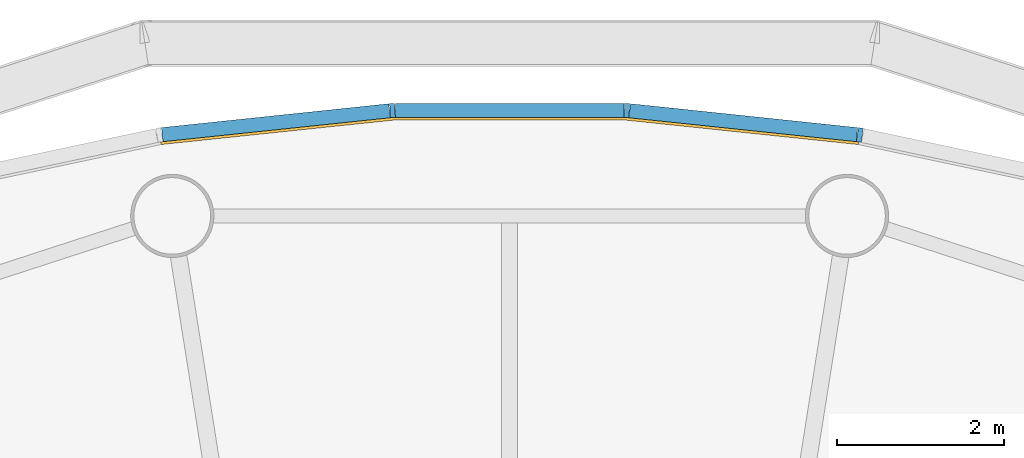
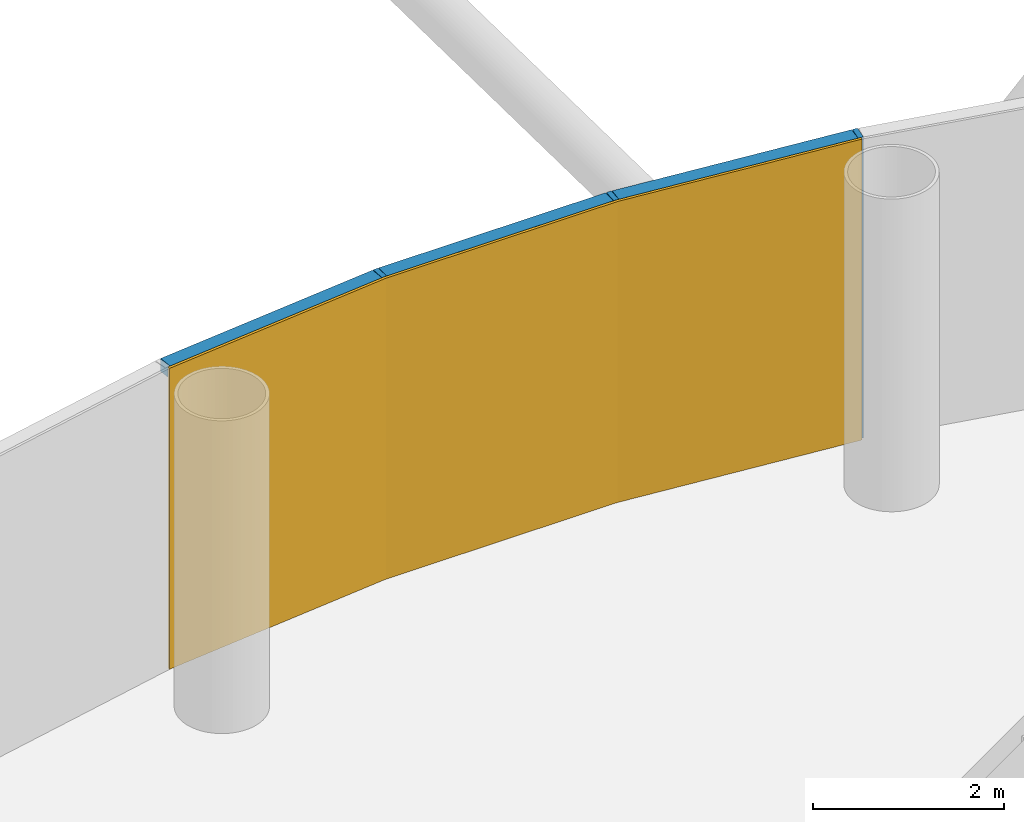
# One storey, part 11 of 13: 6 members, 1 curtain wall.
"""IFC4 building model written with IfcOpenShell, lengths in metres."""

from ifc_helpers import new_model, si_unit, direction, frame, origin, origin_2d, place, context, subcontext, project, spatial, polyline, rectangle, outline, extrude, material, layer, layer_set, material_profile, profile_set, type_object, element, aggregate, save


model = new_model("IFC4")

# Units and contexts
model_context = context("Model", 3, precision=1e-05, world=origin(), true_north=direction((0.0, 1.0)))
body_context = subcontext(model_context, "Body", "Model", "MODEL_VIEW")
ifc_project = project(units=[si_unit("LENGTHUNIT", "METRE"), si_unit("AREAUNIT", "SQUARE_METRE"), si_unit("VOLUMEUNIT", "CUBIC_METRE"), si_unit("PLANEANGLEUNIT", "RADIAN"), si_unit("MASSUNIT", "GRAM", prefix="KILO")], contexts=[model_context])

# Member
ifc_material_1 = material(Name="Anodised aluminium", Category="aluminium")
ifc_material_profile_1 = material_profile(ifc_material_1, rectangle(XDim=0.06005859375, YDim=0.169921875, at=origin_2d()), Name="Mullion 60 x 170 mm anodised aluminium")
ifc_profile_set_1 = profile_set([ifc_material_profile_1], Name="Anodised aluminium")
member_type_1 = type_object("IfcMemberType", Name="Mullion 60 x 170 mm anodised aluminium", PredefinedType="MULLION", material=ifc_profile_set_1)
site_placement = place(None, origin())
building_placement = place(site_placement, origin())
storey_placement = place(building_placement, frame((0.0, 0.0, 250.0)))
member_1_placement = place(storey_placement, frame((94.205810546875, 106.553955078125, 0.0), z_axis=(0.0, 0.0, 1.0), x_axis=(-0.987688340595, 0.15643446504, 0.0)))
member_1 = element("IfcMember", 1, at=member_1_placement, type_object=member_type_1, Name="MULLION L57-12", PredefinedType="MULLION", context=body_context, shape_type="SweptSolid", body=[
    extrude(rectangle(XDim=0.06005859375, YDim=0.169921875, at=origin_2d()), origin(), (0.0, 0.0, 1.0), 3.85009765625),
])

member_2_placement = place(storey_placement, frame((91.406982421875, 106.84814453125, 0.0), z_axis=(0.0, 0.0, 1.0), x_axis=(-0.998629534755, 0.052335956243, 0.0)))
member_2 = element("IfcMember", 2, at=member_2_placement, type_object=member_type_1, Name="MULLION L57-13", PredefinedType="MULLION", context=body_context, shape_type="SweptSolid", body=[
    extrude(rectangle(XDim=0.06005859375, YDim=0.169921875, at=origin_2d()), origin(), (0.0, 0.0, 1.0), 3.85009765625),
])

member_3_placement = place(storey_placement, frame((88.593017578125, 106.84814453125, 0.0), z_axis=(0.0, 0.0, 1.0), x_axis=(-0.998629534755, -0.052335956243, 0.0)))
member_3 = element("IfcMember", 3, at=member_3_placement, type_object=member_type_1, Name="MULLION L57-14", PredefinedType="MULLION", context=body_context, shape_type="SweptSolid", body=[
    extrude(rectangle(XDim=0.06005859375, YDim=0.169921875, at=origin_2d()), origin(), (0.0, 0.0, 1.0), 3.85009765625),
])

ifc_material_2 = material(Name="Anodised aluminium", Category="aluminium")
ifc_material_profile_2 = material_profile(ifc_material_2, rectangle(XDim=0.169921875, YDim=0.1650390625, at=origin_2d()), Name="Transom 165 x 170 mm anodised aluminium")
ifc_profile_set_2 = profile_set([ifc_material_profile_2], Name="Anodised aluminium")
member_type_2 = type_object("IfcMemberType", Name="Transom 165 x 170 mm anodised aluminium", PredefinedType="USERDEFINED", material=ifc_profile_set_2)
member_4_placement = place(storey_placement, frame((94.17138671875, 106.5576171875, 3.767578125), z_axis=(-0.994515195344, 0.104592190102, 0.0), x_axis=(-0.104592190102, -0.994515195344, 0.0)))
member_4 = element("IfcMember", 4, at=member_4_placement, type_object=member_type_2, Name="TRANSOM L57-12", ObjectType="TRANSOM", PredefinedType="USERDEFINED", context=body_context, shape_type="SweptSolid", body=[
    extrude(rectangle(XDim=0.169921875, YDim=0.1650390625, at=origin_2d()), origin(), (0.0, 0.0, 1.0), 2.7451171875),
])

member_5_placement = place(storey_placement, frame((91.37255859375, 106.848388671875, 3.767578125), z_axis=(-1.0, 0.0, 0.0), x_axis=(0.0, -1.0, 0.0)))
member_5 = element("IfcMember", 5, at=member_5_placement, type_object=member_type_2, Name="TRANSOM L57-13", ObjectType="TRANSOM", PredefinedType="USERDEFINED", context=body_context, shape_type="SweptSolid", body=[
    extrude(rectangle(XDim=0.169921875, YDim=0.1650390625, at=origin_2d()), origin(), (0.0, 0.0, 1.0), 2.7451171875),
])

member_6_placement = place(storey_placement, frame((88.55859375, 106.8447265625, 3.767578125), z_axis=(-0.994515195344, -0.104592190102, 0.0), x_axis=(0.104592190102, -0.994515195344, 0.0)))
member_6 = element("IfcMember", 6, at=member_6_placement, type_object=member_type_2, Name="TRANSOM L57-14", ObjectType="TRANSOM", PredefinedType="USERDEFINED", context=body_context, shape_type="SweptSolid", body=[
    extrude(rectangle(XDim=0.169921875, YDim=0.1650390625, at=origin_2d()), origin(), (0.0, 0.0, 1.0), 2.7451171875),
])

# Site, building, storey
site = spatial("IfcSite", under=ifc_project, at=site_placement, CompositionType="ELEMENT")
building = spatial("IfcBuilding", under=site, at=building_placement, Name="Entoto Ring Tower", CompositionType="ELEMENT")
storey = spatial("IfcBuildingStorey", under=building, at=storey_placement, Name="L57", CompositionType="ELEMENT", Elevation=250.0)

# Curtain wall
ifc_material_3 = material(Name="Clear low-iron glass", Category="glass")
ifc_layer = layer(ifc_material_3, 0.031982421875)
ifc_layer_set = layer_set([ifc_layer], Name="Clear low-iron glass")
curtain_wall_type = type_object("IfcCurtainWallType", Name="Curtain wall system CW4 glazing 32 mm", PredefinedType="NOTDEFINED", material=ifc_layer_set)
curtain_wall_placement = place(storey_placement, origin())
curtain_wall = element("IfcCurtainWall", 7, at=curtain_wall_placement, inside=storey, type_object=curtain_wall_type, Name="CW4 L57-05", PredefinedType="NOTDEFINED", context=body_context, shape_type="SweptSolid", body=[
    extrude(outline(polyline([(94.1923828125, 106.469970703125), (91.402587890625, 106.76318359375), (88.597412109375, 106.76318359375), (85.8076171875, 106.469970703125), (85.8125, 106.4384765625), (88.59912109375, 106.731201171875), (91.40087890625, 106.731201171875), (94.1875, 106.4384765625), (94.1923828125, 106.469970703125)])), origin(), (0.0, 0.0, 1.0), 3.85009765625),
])

aggregate(curtain_wall, [member_1, member_2, member_3, member_4, member_5, member_6])

save(model, "model.ifc")
